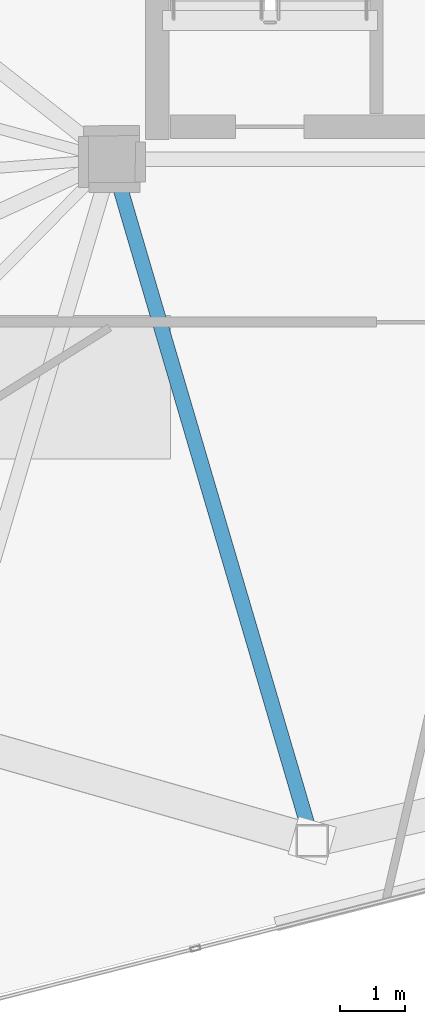
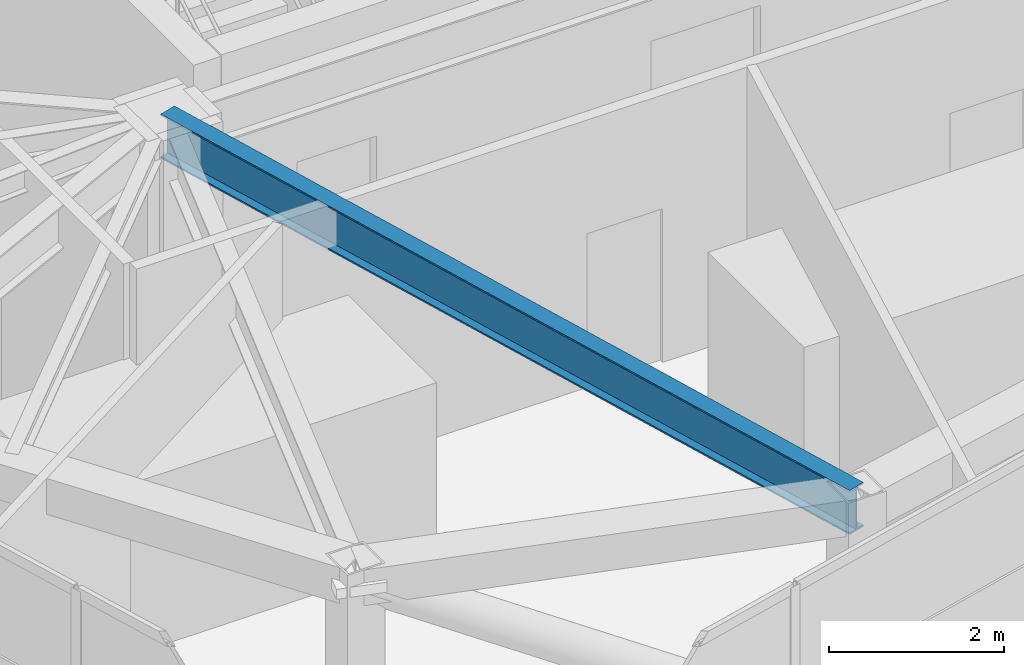
# One storey, part 4 of 21: 1 beam.
"""IFC4 building model written with IfcOpenShell, lengths in metres."""

from ifc_helpers import new_model, si_unit, direction, frame, origin, origin_2d, place, context, subcontext, project, spatial, i_section, extrude, material, material_profile, profile_set, type_object, element, save


model = new_model("IFC4")

# Units and contexts
model_context = context("Model", 3, precision=1e-05, world=origin(), true_north=direction((0.0, 1.0)))
body_context = subcontext(model_context, "Body", "Model", "MODEL_VIEW")
ifc_project = project(units=[si_unit("LENGTHUNIT", "METRE"), si_unit("AREAUNIT", "SQUARE_METRE"), si_unit("VOLUMEUNIT", "CUBIC_METRE"), si_unit("PLANEANGLEUNIT", "RADIAN"), si_unit("MASSUNIT", "GRAM", prefix="KILO")], contexts=[model_context])

# Site, building, storey
site_placement = place(None, origin())
site = spatial("IfcSite", under=ifc_project, at=site_placement, CompositionType="ELEMENT")
building_placement = place(site_placement, origin())
building = spatial("IfcBuilding", under=site, at=building_placement, Name="Talar Marvaseh", CompositionType="ELEMENT")
storey_placement = place(building_placement, frame((0.0, 0.0, 300.0)))
storey = spatial("IfcBuildingStorey", under=building, at=storey_placement, Name="L80", CompositionType="ELEMENT", Elevation=300.0)

# Beam
ifc_material = material(Name="Steel S355", Category="steel")
ifc_material_profile = material_profile(ifc_material, i_section(OverallWidth=0.22998046875, OverallDepth=0.616943359375, WebThickness=0.01318359375, FlangeThickness=0.022216796875, at=origin_2d()), Name="W610x140")
ifc_profile_set = profile_set([ifc_material_profile], Name="Steel S355")
beam_type = type_object("IfcBeamType", Name="Zone 4 Radial Floor Girder W610x140", PredefinedType="BEAM", material=ifc_profile_set)
beam_placement = place(storey_placement, frame((21.77587890625, 15.0400390625, 3.431396484375), z_axis=(-0.28212146763, 0.959378693479, 0.0), x_axis=(-0.959378693479, -0.28212146763, 0.0)))
element("IfcBeam", 1, at=beam_placement, inside=storey, type_object=beam_type, Name="L80 Zone 4 Radial Floor Girder W610x140", PredefinedType="BEAM", context=body_context, shape_type="SweptSolid", body=[
    extrude(i_section(OverallWidth=0.22998046875, OverallDepth=0.616943359375, WebThickness=0.01318359375, FlangeThickness=0.022216796875, at=origin_2d()), origin(), (0.0, 0.0, 1.0), 10.90283203125),
])

save(model, "model.ifc")
